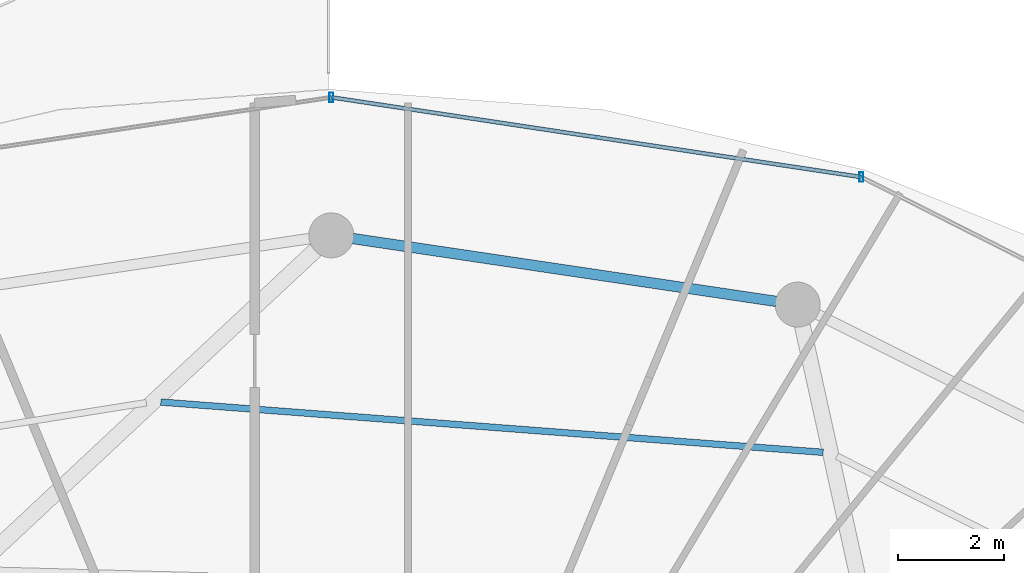
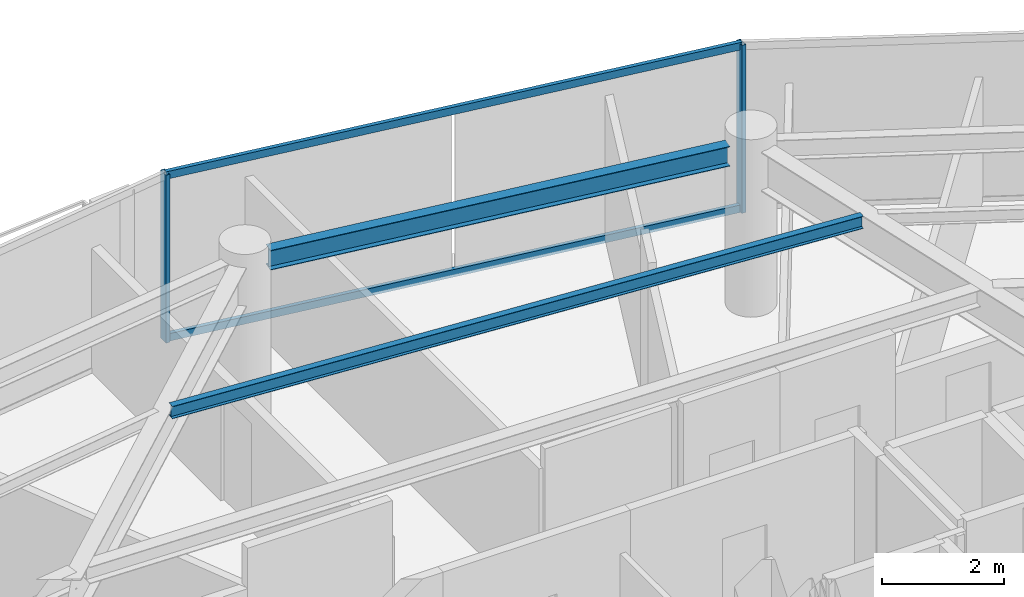
# One storey, part 17 of 29: 4 members, 2 beams, 1 element without a shape of its own.
"""IFC4 building model written with IfcOpenShell, lengths in metres."""

from ifc_helpers import new_model, si_unit, direction, frame, origin, origin_2d, place, context, subcontext, project, spatial, hollow_rectangle, i_section, extrude, material, material_profile, profile_set, type_object, element, aggregate, save


model = new_model("IFC4")

# Units and contexts
model_context = context("Model", 3, precision=1e-05, world=origin(), true_north=direction((0.0, 1.0)))
body_context = subcontext(model_context, "Body", "Model", "MODEL_VIEW")
ifc_project = project(units=[si_unit("LENGTHUNIT", "METRE"), si_unit("AREAUNIT", "SQUARE_METRE"), si_unit("VOLUMEUNIT", "CUBIC_METRE"), si_unit("PLANEANGLEUNIT", "RADIAN"), si_unit("MASSUNIT", "GRAM", prefix="KILO")], contexts=[model_context])

# Site, building, storey
site_placement = place(None, origin())
site = spatial("IfcSite", under=ifc_project, at=site_placement, CompositionType="ELEMENT")
building_placement = place(site_placement, origin())
building = spatial("IfcBuilding", under=site, at=building_placement, Name="Vorneva Point Tower", CompositionType="ELEMENT")
storey_placement = place(building_placement, frame((0.0, 0.0, 255.550048828125)))
storey = spatial("IfcBuildingStorey", under=building, at=storey_placement, Name="L69", CompositionType="ELEMENT", Elevation=255.550048828125)

# Beams
ifc_material_1 = material(Name="Steel S355", Category="steel")
ifc_material_profile_1 = material_profile(ifc_material_1, i_section(OverallWidth=0.1240234375, OverallDepth=0.248046875, WebThickness=0.0048828125, FlangeThickness=0.008056640625, at=origin_2d()), Name="25B1")
ifc_profile_set_1 = profile_set([ifc_material_profile_1], Name="Steel S355")
beam_type_1 = type_object("IfcBeamType", Name="BM-JST-25B1", PredefinedType="JOIST", material=ifc_profile_set_1)
beam_1_placement = place(storey_placement, frame((47.30224609375, 39.09619140625, 3.166015625), z_axis=(-0.997132387184, 0.075676961014, 0.0), x_axis=(-0.075676961014, -0.997132387184, 0.0)))
element("IfcBeam", 1, at=beam_1_placement, inside=storey, type_object=beam_type_1, Name="L69 Secondary Floor Beam 1.04", PredefinedType="JOIST", context=body_context, shape_type="SweptSolid", body=[
    extrude(i_section(OverallWidth=0.1240234375, OverallDepth=0.248046875, WebThickness=0.0048828125, FlangeThickness=0.008056640625, at=origin_2d()), origin(), (0.0, 0.0, 1.0), 12.5625),
])
ifc_material_profile_2 = material_profile(ifc_material_1, i_section(OverallWidth=0.198974609375, OverallDepth=0.39599609375, WebThickness=0.007080078125, FlangeThickness=0.010986328125, at=origin_2d()), Name="40B1")
ifc_profile_set_2 = profile_set([ifc_material_profile_2], Name="Steel S355")
beam_type_2 = type_object("IfcBeamType", Name="BM-SPN-40B1", PredefinedType="SPANDREL", material=ifc_profile_set_2)
beam_2_placement = place(storey_placement, frame((46.415283203125, 41.950927734375, 3.092041015625), z_axis=(-0.989161657331, 0.146830567886, 0.0), x_axis=(-0.146830567886, -0.989161657331, 0.0)))
element("IfcBeam", 2, at=beam_2_placement, inside=storey, type_object=beam_type_2, Name="L69 Perimeter Spandrel Ring Beam 04", PredefinedType="SPANDREL", context=body_context, shape_type="SweptSolid", body=[
    extrude(i_section(OverallWidth=0.198974609375, OverallDepth=0.39599609375, WebThickness=0.007080078125, FlangeThickness=0.010986328125, at=origin_2d()), origin(), (0.0, 0.0, 1.0), 8.097412109375),
])

# Curtain wall, members
ifc_material_2 = material(Name="Pale anodised aluminium", Category="aluminium")
curtain_wall_type = type_object("IfcCurtainWallType", Name="CW-RES-SYS", PredefinedType="NOTDEFINED", material=ifc_material_2)
curtain_wall_placement = place(storey_placement, origin())
curtain_wall = element("IfcCurtainWall", 3, at=curtain_wall_placement, inside=storey, type_object=curtain_wall_type, Name="L69 Unitised Curtain Wall CW-L69-R02", PredefinedType="NOTDEFINED")
ifc_material_profile_3 = material_profile(ifc_material_2, hollow_rectangle(XDim=0.074951171875, YDim=0.179931640625, WallThickness=0.00390625, at=origin_2d()), Name="AL-MUL 180x75x4")
ifc_profile_set_3 = profile_set([ifc_material_profile_3], Name="Pale anodised aluminium")
member_type_1 = type_object("IfcMemberType", Name="CW-MUL-180", PredefinedType="MULLION", material=ifc_profile_set_3)
member_1_placement = place(storey_placement, frame((48.0263671875, 44.302001953125, -0.0400390625), z_axis=(0.0, 0.0, 1.0), x_axis=(1.0, 0.0, 0.0)))
member_1 = element("IfcMember", 4, at=member_1_placement, type_object=member_type_1, Name="CW-L69-R02 Mullion 02", PredefinedType="MULLION", context=body_context, shape_type="SweptSolid", body=[
    extrude(hollow_rectangle(XDim=0.074951171875, YDim=0.179931640625, WallThickness=0.00390625, at=origin_2d()), origin(), (0.0, 0.0, 1.0), 3.360107421875),
])
member_2_placement = place(storey_placement, frame((38.0, 45.81005859375, -0.0400390625), z_axis=(0.0, 0.0, 1.0), x_axis=(1.0, 0.0, 0.0)))
member_2 = element("IfcMember", 5, at=member_2_placement, type_object=member_type_1, Name="CW-L69-R02 Mullion 03", PredefinedType="MULLION", context=body_context, shape_type="SweptSolid", body=[
    extrude(hollow_rectangle(XDim=0.074951171875, YDim=0.179931640625, WallThickness=0.00390625, at=origin_2d()), origin(), (0.0, 0.0, 1.0), 3.360107421875),
])
ifc_material_profile_4 = material_profile(ifc_material_2, hollow_rectangle(XDim=0.074951171875, YDim=0.14990234375, WallThickness=0.00390625, at=origin_2d()), Name="AL-TRN 150x75x4")
ifc_profile_set_4 = profile_set([ifc_material_profile_4], Name="Pale anodised aluminium")
member_type_2 = type_object("IfcMemberType", Name="CW-TRN-150", PredefinedType="USERDEFINED", material=ifc_profile_set_4)
member_3_placement = place(storey_placement, frame((48.0263671875, 44.302001953125, 0.02001953125), z_axis=(-0.988876929856, 0.148736066907, 0.0), x_axis=(-0.148736066907, -0.988876929856, 0.0)))
member_3 = element("IfcMember", 6, at=member_3_placement, type_object=member_type_2, Name="CW-L69-R02 Transom 02.1", ObjectType="TRANSOM", PredefinedType="USERDEFINED", context=body_context, shape_type="SweptSolid", body=[
    extrude(hollow_rectangle(XDim=0.074951171875, YDim=0.14990234375, WallThickness=0.00390625, at=origin_2d()), origin(), (0.0, 0.0, 1.0), 10.13916015625),
])
member_4_placement = place(storey_placement, frame((48.0263671875, 44.302001953125, 3.27001953125), z_axis=(-0.988876929856, 0.148736066907, 0.0), x_axis=(-0.148736066907, -0.988876929856, 0.0)))
member_4 = element("IfcMember", 7, at=member_4_placement, type_object=member_type_2, Name="CW-L69-R02 Transom 02.2", ObjectType="TRANSOM", PredefinedType="USERDEFINED", context=body_context, shape_type="SweptSolid", body=[
    extrude(hollow_rectangle(XDim=0.074951171875, YDim=0.14990234375, WallThickness=0.00390625, at=origin_2d()), origin(), (0.0, 0.0, 1.0), 10.13916015625),
])
aggregate(curtain_wall, [member_1, member_2, member_3, member_4])

save(model, "model.ifc")
